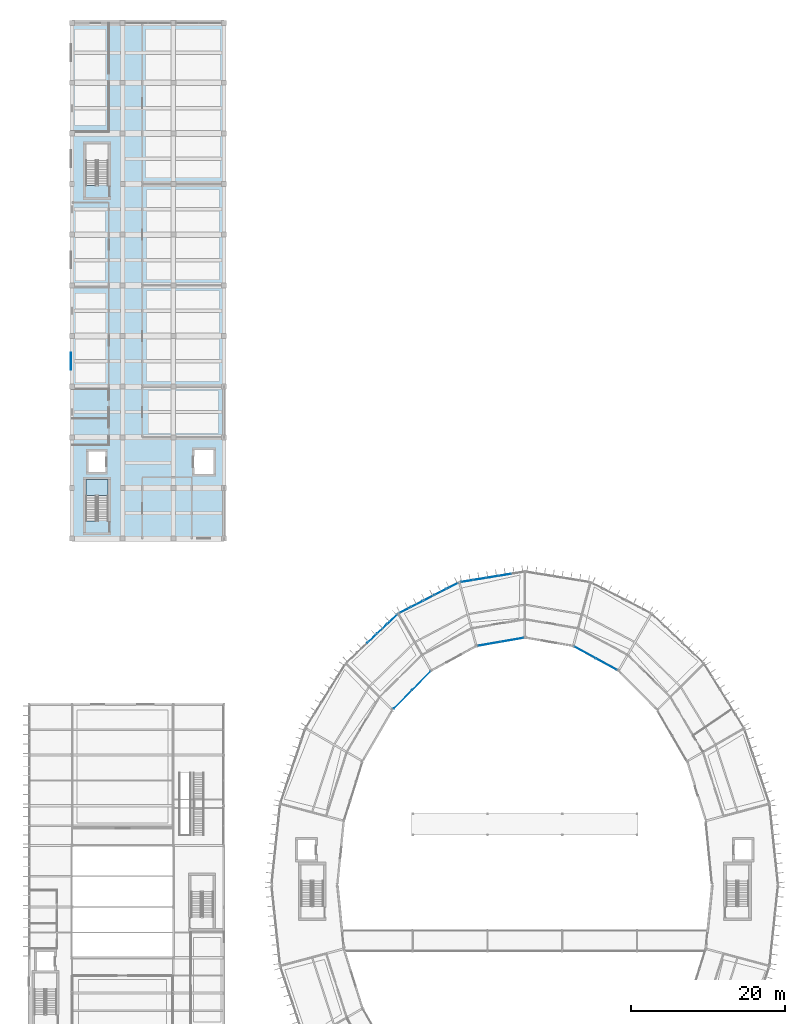
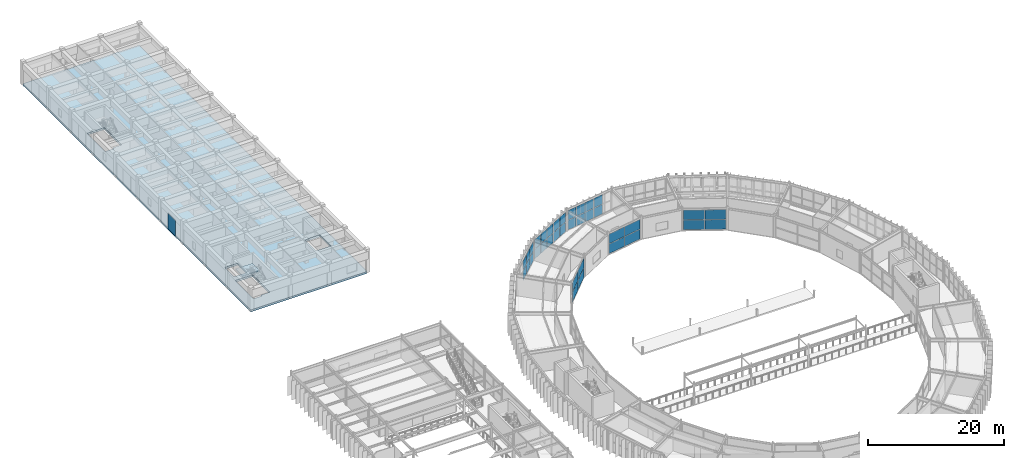
# One storey, part 104 of 147: 37 plates, 2 slabs, 7 elements without a shape of their own.
"""IFC4 building model written with IfcOpenShell, lengths in metres."""

from ifc_helpers import new_model, si_unit, direction, frame, origin, origin_2d, place, context, subcontext, project, spatial, polyline, rectangle, outline, extrude, material, layer, layer_set, type_object, element, aggregate, save


model = new_model("IFC4")

# Units and contexts
model_context = context("Model", 3, precision=1e-05, world=origin(), true_north=direction((0.0, 1.0)))
body_context = subcontext(model_context, "Body", "Model", "MODEL_VIEW")
ifc_project = project(units=[si_unit("LENGTHUNIT", "METRE"), si_unit("AREAUNIT", "SQUARE_METRE"), si_unit("VOLUMEUNIT", "CUBIC_METRE"), si_unit("PLANEANGLEUNIT", "RADIAN"), si_unit("MASSUNIT", "GRAM", prefix="KILO")], contexts=[model_context])

# Site, building, storey
site_placement = place(None, origin())
site = spatial("IfcSite", under=ifc_project, at=site_placement, CompositionType="ELEMENT")
building_placement = place(site_placement, origin())
building = spatial("IfcBuilding", under=site, at=building_placement, Name="Karori Crest Natural Sciences Institute", CompositionType="ELEMENT")
storey_placement = place(building_placement, frame((0.0, 0.0, 9.10009765625)))
storey = spatial("IfcBuildingStorey", under=building, at=storey_placement, Name="L02", CompositionType="ELEMENT", Elevation=9.10009765625)

# Curtain wall, plates
ifc_material_1 = material(Name="Anodised architectural aluminium 6063-T6", Category="aluminium")
curtain_wall_type_1 = type_object("IfcCurtainWallType", Name="CWT-15", PredefinedType="NOTDEFINED", material=ifc_material_1)
curtain_wall_1_placement = place(storey_placement, origin())
curtain_wall_1 = element("IfcCurtainWall", 1, at=curtain_wall_1_placement, inside=storey, type_object=curtain_wall_type_1, Name="Curtain wall CW-0072", PredefinedType="NOTDEFINED")
ifc_material_2 = material(Name="Double low-E laminated glass", Category="glass")
ifc_layer_1 = layer(ifc_material_2, 0.02392578125, Name="Double low-E laminated glass")
ifc_layer_set_1 = layer_set([ifc_layer_1], Name="Double low-E laminated glass")
plate_type_1 = type_object("IfcPlateType", Name="CWP-01", PredefinedType="CURTAIN_PANEL", material=ifc_layer_set_1)
plate_1_placement = place(storey_placement, frame((77.031005859375, 78.6435546875, 0.06005859375), z_axis=(0.0, 0.0, 1.0), x_axis=(-0.877463514084, 0.479643389875, 0.0)))
plate_1 = element("IfcPlate", 2, at=plate_1_placement, type_object=plate_type_1, Name="CW-0072 panel 1.1", PredefinedType="CURTAIN_PANEL", context=body_context, shape_type="SweptSolid", body=[
    extrude(rectangle(XDim=3.102783203125, YDim=0.02392578125, at=origin_2d()), origin(), (0.0, 0.0, 1.0), 1.735107421875),
])
plate_2_placement = place(storey_placement, frame((77.031005859375, 78.6435546875, 1.85498046875), z_axis=(0.0, 0.0, 1.0), x_axis=(-0.877463514084, 0.479643389875, 0.0)))
plate_2 = element("IfcPlate", 3, at=plate_2_placement, type_object=plate_type_1, Name="CW-0072 panel 1.2", PredefinedType="CURTAIN_PANEL", context=body_context, shape_type="SweptSolid", body=[
    extrude(rectangle(XDim=3.102783203125, YDim=0.02392578125, at=origin_2d()), origin(), (0.0, 0.0, 1.0), 1.735107421875),
])
plate_3_placement = place(storey_placement, frame((74.25146484375, 80.1630859375, 0.06005859375), z_axis=(0.0, 0.0, 1.0), x_axis=(-0.877463514084, 0.479643389875, 0.0)))
plate_3 = element("IfcPlate", 4, at=plate_3_placement, type_object=plate_type_1, Name="CW-0072 panel 2.1", PredefinedType="CURTAIN_PANEL", context=body_context, shape_type="SweptSolid", body=[
    extrude(rectangle(XDim=3.102783203125, YDim=0.02392578125, at=origin_2d()), origin(), (0.0, 0.0, 1.0), 1.735107421875),
])
plate_4_placement = place(storey_placement, frame((74.25146484375, 80.1630859375, 1.85498046875), z_axis=(0.0, 0.0, 1.0), x_axis=(-0.877463514084, 0.479643389875, 0.0)))
plate_4 = element("IfcPlate", 5, at=plate_4_placement, type_object=plate_type_1, Name="CW-0072 panel 2.2", PredefinedType="CURTAIN_PANEL", context=body_context, shape_type="SweptSolid", body=[
    extrude(rectangle(XDim=3.102783203125, YDim=0.02392578125, at=origin_2d()), origin(), (0.0, 0.0, 1.0), 1.735107421875),
])
aggregate(curtain_wall_1, [plate_1, plate_2, plate_3, plate_4])

curtain_wall_type_2 = type_object("IfcCurtainWallType", Name="CWT-07", PredefinedType="NOTDEFINED", material=ifc_material_1)
curtain_wall_2_placement = place(storey_placement, origin())
curtain_wall_2 = element("IfcCurtainWall", 6, at=curtain_wall_2_placement, inside=storey, type_object=curtain_wall_type_2, Name="Curtain wall CW-0074", PredefinedType="NOTDEFINED")
plate_5_placement = place(storey_placement, frame((58.872314453125, 89.474609375, 0.06494140625), z_axis=(0.0, 0.0, 1.0), x_axis=(0.987010371927, 0.1606565458, 0.0)))
plate_5 = element("IfcPlate", 7, at=plate_5_placement, type_object=plate_type_1, Name="CW-0074 panel 1.1", PredefinedType="CURTAIN_PANEL", context=body_context, shape_type="SweptSolid", body=[
    extrude(rectangle(XDim=1.552001953125, YDim=0.02392578125, at=origin_2d()), origin(), (0.0, 0.0, 1.0), 1.715087890625),
])
plate_6_placement = place(storey_placement, frame((58.872314453125, 89.474609375, 1.8447265625), z_axis=(0.0, 0.0, 1.0), x_axis=(0.987010371927, 0.1606565458, 0.0)))
plate_6 = element("IfcPlate", 8, at=plate_6_placement, type_object=plate_type_1, Name="CW-0074 panel 1.2", PredefinedType="CURTAIN_PANEL", context=body_context, shape_type="SweptSolid", body=[
    extrude(rectangle(XDim=1.552001953125, YDim=0.02392578125, at=origin_2d()), origin(), (0.0, 0.0, 1.0), 1.715087890625),
])
plate_7_placement = place(storey_placement, frame((60.49658203125, 89.739013671875, 0.06494140625), z_axis=(0.0, 0.0, 1.0), x_axis=(0.987010371927, 0.1606565458, 0.0)))
plate_7 = element("IfcPlate", 9, at=plate_7_placement, type_object=plate_type_1, Name="CW-0074 panel 2.1", PredefinedType="CURTAIN_PANEL", context=body_context, shape_type="SweptSolid", body=[
    extrude(rectangle(XDim=1.58935546875, YDim=0.02392578125, at=origin_2d()), origin(), (0.0, 0.0, 1.0), 1.715087890625),
])
plate_8_placement = place(storey_placement, frame((60.49658203125, 89.739013671875, 1.8447265625), z_axis=(0.0, 0.0, 1.0), x_axis=(0.987010371927, 0.1606565458, 0.0)))
plate_8 = element("IfcPlate", 10, at=plate_8_placement, type_object=plate_type_1, Name="CW-0074 panel 2.2", PredefinedType="CURTAIN_PANEL", context=body_context, shape_type="SweptSolid", body=[
    extrude(rectangle(XDim=1.58935546875, YDim=0.02392578125, at=origin_2d()), origin(), (0.0, 0.0, 1.0), 1.715087890625),
])
plate_9_placement = place(storey_placement, frame((62.139404296875, 90.006591796875, 0.06494140625), z_axis=(0.0, 0.0, 1.0), x_axis=(0.987010371927, 0.1606565458, 0.0)))
plate_9 = element("IfcPlate", 11, at=plate_9_placement, type_object=plate_type_1, Name="CW-0074 panel 3.1", PredefinedType="CURTAIN_PANEL", context=body_context, shape_type="SweptSolid", body=[
    extrude(rectangle(XDim=1.58935546875, YDim=0.02392578125, at=origin_2d()), origin(), (0.0, 0.0, 1.0), 1.715087890625),
])
plate_10_placement = place(storey_placement, frame((62.139404296875, 90.006591796875, 1.8447265625), z_axis=(0.0, 0.0, 1.0), x_axis=(0.987010371927, 0.1606565458, 0.0)))
plate_10 = element("IfcPlate", 12, at=plate_10_placement, type_object=plate_type_1, Name="CW-0074 panel 3.2", PredefinedType="CURTAIN_PANEL", context=body_context, shape_type="SweptSolid", body=[
    extrude(rectangle(XDim=1.58935546875, YDim=0.02392578125, at=origin_2d()), origin(), (0.0, 0.0, 1.0), 1.715087890625),
])
plate_11_placement = place(storey_placement, frame((63.7822265625, 90.27392578125, 0.06494140625), z_axis=(0.0, 0.0, 1.0), x_axis=(0.987010371927, 0.1606565458, 0.0)))
plate_11 = element("IfcPlate", 13, at=plate_11_placement, type_object=plate_type_1, Name="CW-0074 panel 4.1", PredefinedType="CURTAIN_PANEL", context=body_context, shape_type="SweptSolid", body=[
    extrude(rectangle(XDim=1.58935546875, YDim=0.02392578125, at=origin_2d()), origin(), (0.0, 0.0, 1.0), 1.715087890625),
])
plate_12_placement = place(storey_placement, frame((63.7822265625, 90.27392578125, 1.8447265625), z_axis=(0.0, 0.0, 1.0), x_axis=(0.987010371927, 0.1606565458, 0.0)))
plate_12 = element("IfcPlate", 14, at=plate_12_placement, type_object=plate_type_1, Name="CW-0074 panel 4.2", PredefinedType="CURTAIN_PANEL", context=body_context, shape_type="SweptSolid", body=[
    extrude(rectangle(XDim=1.58935546875, YDim=0.02392578125, at=origin_2d()), origin(), (0.0, 0.0, 1.0), 1.715087890625),
])
aggregate(curtain_wall_2, [plate_5, plate_6, plate_7, plate_8, plate_9, plate_10, plate_11, plate_12])

curtain_wall_type_3 = type_object("IfcCurtainWallType", Name="CWT-12", PredefinedType="NOTDEFINED", material=ifc_material_1)
curtain_wall_3_placement = place(storey_placement, origin())
curtain_wall_3 = element("IfcCurtainWall", 15, at=curtain_wall_3_placement, inside=storey, type_object=curtain_wall_type_3, Name="Curtain wall CW-0075", PredefinedType="NOTDEFINED")
plate_13_placement = place(storey_placement, frame((64.729248046875, 81.809814453125, 0.06005859375), z_axis=(0.0, 0.0, 1.0), x_axis=(-0.985241442821, -0.171170381048, 0.0)))
plate_13 = element("IfcPlate", 16, at=plate_13_placement, type_object=plate_type_1, Name="CW-0075 panel 1.1", PredefinedType="CURTAIN_PANEL", context=body_context, shape_type="SweptSolid", body=[
    extrude(rectangle(XDim=2.9541015625, YDim=0.02392578125, at=origin_2d()), origin(), (0.0, 0.0, 1.0), 1.735107421875),
])
plate_14_placement = place(storey_placement, frame((64.729248046875, 81.809814453125, 1.85498046875), z_axis=(0.0, 0.0, 1.0), x_axis=(-0.985241442821, -0.171170381048, 0.0)))
plate_14 = element("IfcPlate", 17, at=plate_14_placement, type_object=plate_type_1, Name="CW-0075 panel 1.2", PredefinedType="CURTAIN_PANEL", context=body_context, shape_type="SweptSolid", body=[
    extrude(rectangle(XDim=2.9541015625, YDim=0.02392578125, at=origin_2d()), origin(), (0.0, 0.0, 1.0), 1.735107421875),
])
plate_15_placement = place(storey_placement, frame((61.754638671875, 81.29296875, 0.06005859375), z_axis=(0.0, 0.0, 1.0), x_axis=(-0.985241442821, -0.171170381048, 0.0)))
plate_15 = element("IfcPlate", 18, at=plate_15_placement, type_object=plate_type_1, Name="CW-0075 panel 2.1", PredefinedType="CURTAIN_PANEL", context=body_context, shape_type="SweptSolid", body=[
    extrude(rectangle(XDim=2.9541015625, YDim=0.02392578125, at=origin_2d()), origin(), (0.0, 0.0, 1.0), 1.735107421875),
])
plate_16_placement = place(storey_placement, frame((61.754638671875, 81.29296875, 1.85498046875), z_axis=(0.0, 0.0, 1.0), x_axis=(-0.985241442821, -0.171170381048, 0.0)))
plate_16 = element("IfcPlate", 19, at=plate_16_placement, type_object=plate_type_1, Name="CW-0075 panel 2.2", PredefinedType="CURTAIN_PANEL", context=body_context, shape_type="SweptSolid", body=[
    extrude(rectangle(XDim=2.9541015625, YDim=0.02392578125, at=origin_2d()), origin(), (0.0, 0.0, 1.0), 1.735107421875),
])
aggregate(curtain_wall_3, [plate_13, plate_14, plate_15, plate_16])

curtain_wall_type_4 = type_object("IfcCurtainWallType", Name="CWT-14", PredefinedType="NOTDEFINED", material=ifc_material_1)
curtain_wall_4_placement = place(storey_placement, origin())
curtain_wall_4 = element("IfcCurtainWall", 20, at=curtain_wall_4_placement, inside=storey, type_object=curtain_wall_type_4, Name="Curtain wall CW-0078", PredefinedType="NOTDEFINED")
plate_17_placement = place(storey_placement, frame((52.892333984375, 76.4619140625, 0.06005859375), z_axis=(0.0, 0.0, 1.0), x_axis=(-0.70265631089, -0.71152941525, 0.0)))
plate_17 = element("IfcPlate", 21, at=plate_17_placement, type_object=plate_type_1, Name="CW-0078 panel 1.1", PredefinedType="CURTAIN_PANEL", context=body_context, shape_type="SweptSolid", body=[
    extrude(rectangle(XDim=3.322998046875, YDim=0.02392578125, at=origin_2d()), origin(), (0.0, 0.0, 1.0), 1.735107421875),
])
plate_18_placement = place(storey_placement, frame((52.892333984375, 76.4619140625, 1.85498046875), z_axis=(0.0, 0.0, 1.0), x_axis=(-0.70265631089, -0.71152941525, 0.0)))
plate_18 = element("IfcPlate", 22, at=plate_18_placement, type_object=plate_type_1, Name="CW-0078 panel 1.2", PredefinedType="CURTAIN_PANEL", context=body_context, shape_type="SweptSolid", body=[
    extrude(rectangle(XDim=3.322998046875, YDim=0.02392578125, at=origin_2d()), origin(), (0.0, 0.0, 1.0), 1.735107421875),
])
plate_19_placement = place(storey_placement, frame((50.51171875, 74.05126953125, 0.06005859375), z_axis=(0.0, 0.0, 1.0), x_axis=(-0.70265631089, -0.71152941525, 0.0)))
plate_19 = element("IfcPlate", 23, at=plate_19_placement, type_object=plate_type_1, Name="CW-0078 panel 2.1", PredefinedType="CURTAIN_PANEL", context=body_context, shape_type="SweptSolid", body=[
    extrude(rectangle(XDim=3.322998046875, YDim=0.02392578125, at=origin_2d()), origin(), (0.0, 0.0, 1.0), 1.735107421875),
])
plate_20_placement = place(storey_placement, frame((50.51171875, 74.05126953125, 1.85498046875), z_axis=(0.0, 0.0, 1.0), x_axis=(-0.70265631089, -0.71152941525, 0.0)))
plate_20 = element("IfcPlate", 24, at=plate_20_placement, type_object=plate_type_1, Name="CW-0078 panel 2.2", PredefinedType="CURTAIN_PANEL", context=body_context, shape_type="SweptSolid", body=[
    extrude(rectangle(XDim=3.322998046875, YDim=0.02392578125, at=origin_2d()), origin(), (0.0, 0.0, 1.0), 1.735107421875),
])
aggregate(curtain_wall_4, [plate_17, plate_18, plate_19, plate_20])

curtain_wall_type_5 = type_object("IfcCurtainWallType", Name="CWT-08", PredefinedType="NOTDEFINED", material=ifc_material_1)
curtain_wall_5_placement = place(storey_placement, origin())
curtain_wall_5 = element("IfcCurtainWall", 25, at=curtain_wall_5_placement, inside=storey, type_object=curtain_wall_type_5, Name="Curtain wall CW-0076", PredefinedType="NOTDEFINED")
ifc_layer_2 = layer(ifc_material_2, 0.033935546875, Name="Double low-E laminated glass")
ifc_layer_set_2 = layer_set([ifc_layer_2], Name="Double low-E laminated glass")
plate_type_2 = type_object("IfcPlateType", Name="CWP-02", PredefinedType="CURTAIN_PANEL", material=ifc_layer_set_2)
plate_21_placement = place(storey_placement, frame((50.8251953125, 85.70751953125, 0.06005859375), z_axis=(0.0, 0.0, 1.0), x_axis=(0.890065326982, 0.455832988828, 0.0)))
plate_21 = element("IfcPlate", 26, at=plate_21_placement, type_object=plate_type_2, Name="CW-0076 panel 1.1", PredefinedType="CURTAIN_PANEL", context=body_context, shape_type="SweptSolid", body=[
    extrude(rectangle(XDim=1.608642578125, YDim=0.033935546875, at=origin_2d()), origin(), (0.0, 0.0, 1.0), 1.722412109375),
])
plate_22_placement = place(storey_placement, frame((50.8251953125, 85.70751953125, 1.84228515625), z_axis=(0.0, 0.0, 1.0), x_axis=(0.890065326982, 0.455832988828, 0.0)))
plate_22 = element("IfcPlate", 27, at=plate_22_placement, type_object=plate_type_2, Name="CW-0076 panel 1.2", PredefinedType="CURTAIN_PANEL", context=body_context, shape_type="SweptSolid", body=[
    extrude(rectangle(XDim=1.608642578125, YDim=0.033935546875, at=origin_2d()), origin(), (0.0, 0.0, 1.0), 1.722412109375),
])
plate_23_placement = place(storey_placement, frame((52.34033203125, 86.483642578125, 0.06005859375), z_axis=(0.0, 0.0, 1.0), x_axis=(0.890065326982, 0.455832988828, 0.0)))
plate_23 = element("IfcPlate", 28, at=plate_23_placement, type_object=plate_type_2, Name="CW-0076 panel 2.1", PredefinedType="CURTAIN_PANEL", context=body_context, shape_type="SweptSolid", body=[
    extrude(rectangle(XDim=1.646240234375, YDim=0.033935546875, at=origin_2d()), origin(), (0.0, 0.0, 1.0), 1.722412109375),
])
plate_24_placement = place(storey_placement, frame((52.34033203125, 86.483642578125, 1.84228515625), z_axis=(0.0, 0.0, 1.0), x_axis=(0.890065326982, 0.455832988828, 0.0)))
plate_24 = element("IfcPlate", 29, at=plate_24_placement, type_object=plate_type_2, Name="CW-0076 panel 2.2", PredefinedType="CURTAIN_PANEL", context=body_context, shape_type="SweptSolid", body=[
    extrude(rectangle(XDim=1.646240234375, YDim=0.033935546875, at=origin_2d()), origin(), (0.0, 0.0, 1.0), 1.722412109375),
])
plate_25_placement = place(storey_placement, frame((53.87255859375, 87.268310546875, 0.06005859375), z_axis=(0.0, 0.0, 1.0), x_axis=(0.890065326982, 0.455832988828, 0.0)))
plate_25 = element("IfcPlate", 30, at=plate_25_placement, type_object=plate_type_2, Name="CW-0076 panel 3.1", PredefinedType="CURTAIN_PANEL", context=body_context, shape_type="SweptSolid", body=[
    extrude(rectangle(XDim=1.646240234375, YDim=0.033935546875, at=origin_2d()), origin(), (0.0, 0.0, 1.0), 1.722412109375),
])
plate_26_placement = place(storey_placement, frame((53.87255859375, 87.268310546875, 1.84228515625), z_axis=(0.0, 0.0, 1.0), x_axis=(0.890065326982, 0.455832988828, 0.0)))
plate_26 = element("IfcPlate", 31, at=plate_26_placement, type_object=plate_type_2, Name="CW-0076 panel 3.2", PredefinedType="CURTAIN_PANEL", context=body_context, shape_type="SweptSolid", body=[
    extrude(rectangle(XDim=1.646240234375, YDim=0.033935546875, at=origin_2d()), origin(), (0.0, 0.0, 1.0), 1.722412109375),
])
plate_27_placement = place(storey_placement, frame((55.404541015625, 88.052734375, 0.06005859375), z_axis=(0.0, 0.0, 1.0), x_axis=(0.890065326982, 0.455832988828, 0.0)))
plate_27 = element("IfcPlate", 32, at=plate_27_placement, type_object=plate_type_2, Name="CW-0076 panel 4.1", PredefinedType="CURTAIN_PANEL", context=body_context, shape_type="SweptSolid", body=[
    extrude(rectangle(XDim=1.646240234375, YDim=0.033935546875, at=origin_2d()), origin(), (0.0, 0.0, 1.0), 1.722412109375),
])
plate_28_placement = place(storey_placement, frame((55.404541015625, 88.052734375, 1.84228515625), z_axis=(0.0, 0.0, 1.0), x_axis=(0.890065326982, 0.455832988828, 0.0)))
plate_28 = element("IfcPlate", 33, at=plate_28_placement, type_object=plate_type_2, Name="CW-0076 panel 4.2", PredefinedType="CURTAIN_PANEL", context=body_context, shape_type="SweptSolid", body=[
    extrude(rectangle(XDim=1.646240234375, YDim=0.033935546875, at=origin_2d()), origin(), (0.0, 0.0, 1.0), 1.722412109375),
])
plate_29_placement = place(storey_placement, frame((56.919921875, 88.828857421875, 0.06005859375), z_axis=(0.0, 0.0, 1.0), x_axis=(0.890065326982, 0.455832988828, 0.0)))
plate_29 = element("IfcPlate", 34, at=plate_29_placement, type_object=plate_type_2, Name="CW-0076 panel 5.1", PredefinedType="CURTAIN_PANEL", context=body_context, shape_type="SweptSolid", body=[
    extrude(rectangle(XDim=1.608642578125, YDim=0.033935546875, at=origin_2d()), origin(), (0.0, 0.0, 1.0), 1.722412109375),
])
plate_30_placement = place(storey_placement, frame((56.919921875, 88.828857421875, 1.84228515625), z_axis=(0.0, 0.0, 1.0), x_axis=(0.890065326982, 0.455832988828, 0.0)))
plate_30 = element("IfcPlate", 35, at=plate_30_placement, type_object=plate_type_2, Name="CW-0076 panel 5.2", PredefinedType="CURTAIN_PANEL", context=body_context, shape_type="SweptSolid", body=[
    extrude(rectangle(XDim=1.608642578125, YDim=0.033935546875, at=origin_2d()), origin(), (0.0, 0.0, 1.0), 1.722412109375),
])
aggregate(curtain_wall_5, [plate_21, plate_22, plate_23, plate_24, plate_25, plate_26, plate_27, plate_28, plate_29, plate_30])

curtain_wall_type_6 = type_object("IfcCurtainWallType", Name="CWT-09", PredefinedType="NOTDEFINED", material=ifc_material_1)
curtain_wall_6_placement = place(storey_placement, origin())
curtain_wall_6 = element("IfcCurtainWall", 36, at=curtain_wall_6_placement, inside=storey, type_object=curtain_wall_type_6, Name="Curtain wall CW-0077", PredefinedType="NOTDEFINED")
ifc_layer_3 = layer(ifc_material_2, 0.0439453125, Name="Double low-E laminated glass")
ifc_layer_set_3 = layer_set([ifc_layer_3], Name="Double low-E laminated glass")
plate_type_3 = type_object("IfcPlateType", Name="CWP-03", PredefinedType="CURTAIN_PANEL", material=ifc_layer_set_3)
plate_31_placement = place(storey_placement, frame((46.501708984375, 82.010009765625, 0.06494140625), z_axis=(0.0, 0.0, 1.0), x_axis=(0.725472753897, 0.688250886925, 0.0)))
plate_31 = element("IfcPlate", 37, at=plate_31_placement, type_object=plate_type_3, Name="CW-0077 panel 3.1", PredefinedType="CURTAIN_PANEL", context=body_context, shape_type="SweptSolid", body=[
    extrude(rectangle(XDim=1.734619140625, YDim=0.0439453125, at=origin_2d()), origin(), (0.0, 0.0, 1.0), 1.715087890625),
])
plate_32_placement = place(storey_placement, frame((46.501708984375, 82.010009765625, 1.8447265625), z_axis=(0.0, 0.0, 1.0), x_axis=(0.725472753897, 0.688250886925, 0.0)))
plate_32 = element("IfcPlate", 38, at=plate_32_placement, type_object=plate_type_3, Name="CW-0077 panel 3.2", PredefinedType="CURTAIN_PANEL", context=body_context, shape_type="SweptSolid", body=[
    extrude(rectangle(XDim=1.734619140625, YDim=0.0439453125, at=origin_2d()), origin(), (0.0, 0.0, 1.0), 1.715087890625),
])
plate_33_placement = place(storey_placement, frame((47.814697265625, 83.25537109375, 0.06494140625), z_axis=(0.0, 0.0, 1.0), x_axis=(0.725472753897, 0.688250886925, 0.0)))
plate_33 = element("IfcPlate", 39, at=plate_33_placement, type_object=plate_type_3, Name="CW-0077 panel 4.1", PredefinedType="CURTAIN_PANEL", context=body_context, shape_type="SweptSolid", body=[
    extrude(rectangle(XDim=1.734619140625, YDim=0.0439453125, at=origin_2d()), origin(), (0.0, 0.0, 1.0), 1.715087890625),
])
plate_34_placement = place(storey_placement, frame((47.814697265625, 83.25537109375, 1.8447265625), z_axis=(0.0, 0.0, 1.0), x_axis=(0.725472753897, 0.688250886925, 0.0)))
plate_34 = element("IfcPlate", 40, at=plate_34_placement, type_object=plate_type_3, Name="CW-0077 panel 4.2", PredefinedType="CURTAIN_PANEL", context=body_context, shape_type="SweptSolid", body=[
    extrude(rectangle(XDim=1.734619140625, YDim=0.0439453125, at=origin_2d()), origin(), (0.0, 0.0, 1.0), 1.715087890625),
])
plate_35_placement = place(storey_placement, frame((49.11376953125, 84.488037109375, 0.06494140625), z_axis=(0.0, 0.0, 1.0), x_axis=(0.725472753897, 0.688250886925, 0.0)))
plate_35 = element("IfcPlate", 41, at=plate_35_placement, type_object=plate_type_3, Name="CW-0077 panel 5.1", PredefinedType="CURTAIN_PANEL", context=body_context, shape_type="SweptSolid", body=[
    extrude(rectangle(XDim=1.697265625, YDim=0.0439453125, at=origin_2d()), origin(), (0.0, 0.0, 1.0), 1.715087890625),
])
plate_36_placement = place(storey_placement, frame((49.11376953125, 84.488037109375, 1.8447265625), z_axis=(0.0, 0.0, 1.0), x_axis=(0.725472753897, 0.688250886925, 0.0)))
plate_36 = element("IfcPlate", 42, at=plate_36_placement, type_object=plate_type_3, Name="CW-0077 panel 5.2", PredefinedType="CURTAIN_PANEL", context=body_context, shape_type="SweptSolid", body=[
    extrude(rectangle(XDim=1.697265625, YDim=0.0439453125, at=origin_2d()), origin(), (0.0, 0.0, 1.0), 1.715087890625),
])
aggregate(curtain_wall_6, [plate_31, plate_32, plate_33, plate_34, plate_35, plate_36])

# Plate
ifc_layer_4 = layer(ifc_material_1, 0.013916015625, Name="Anodised architectural aluminium 6063-T6")
ifc_layer_set_4 = layer_set([ifc_layer_4], Name="Anodised architectural aluminium 6063-T6")
plate_type_4 = type_object("IfcPlateType", Name="PLT-01", PredefinedType="SHEET", material=ifc_layer_set_4)
plate_37_placement = place(storey_placement, frame((7.25, 118.10009765625, 0.07470703125), z_axis=(0.0, 0.0, 1.0), x_axis=(1.0, 0.0, 0.0)))
element("IfcPlate", 43, at=plate_37_placement, inside=storey, type_object=plate_type_4, Name="Metabolist service chase cladding PL-0005", PredefinedType="SHEET", context=body_context, shape_type="SweptSolid", body=[
    extrude(rectangle(XDim=0.052001953125, YDim=2.199951171875, at=origin_2d()), origin(), (0.0, 0.0, 1.0), 2.735107421875),
])

# Slab
ifc_material_3 = material(Name="Concrete 50 MPa", Category="concrete")
ifc_layer_5 = layer(ifc_material_3, 0.35009765625, Name="Concrete 50 MPa")
ifc_layer_set_5 = layer_set([ifc_layer_5], Name="Concrete 50 MPa")
slab_type_1 = type_object("IfcSlabType", Name="SLT-03", PredefinedType="FLOOR", material=ifc_layer_set_5)
slab_1_placement = place(storey_placement, frame((0.0, 0.0, -0.35009765625)))
element("IfcSlab", 44, at=slab_1_placement, inside=storey, type_object=slab_type_1, Name="V4 Slab SL-0154", PredefinedType="FLOOR", context=body_context, shape_type="SweptSolid", body=[
    extrude(outline(polyline([(7.39990234375, 95.0), (27.199951171875, 95.0), (27.199951171875, 162.199951171875), (7.39990234375, 162.199951171875), (7.39990234375, 95.0)]), holes=[polyline([(12.10009765625, 97.580078125), (10.64990234375, 97.580078125), (10.64990234375, 97.300537109375), (9.199951171875, 97.300537109375), (9.199951171875, 102.699951171875), (12.10009765625, 102.699951171875), (12.10009765625, 97.580078125)]), polyline([(12.10009765625, 141.280029296875), (10.64990234375, 141.280029296875), (10.64990234375, 141.00048828125), (9.199951171875, 141.00048828125), (9.199951171875, 146.39990234375), (12.10009765625, 146.39990234375), (12.10009765625, 141.280029296875)]), polyline([(9.52490234375, 106.375), (11.77490234375, 106.375), (11.77490234375, 103.625), (9.52490234375, 103.625), (9.52490234375, 106.375)]), polyline([(23.300048828125, 106.60009765625), (25.89990234375, 106.60009765625), (25.89990234375, 103.39990234375), (23.300048828125, 103.39990234375), (23.300048828125, 106.60009765625)])]), origin(), (0.0, 0.0, 1.0), 0.35009765625),
])

# Stair, slab
ifc_material_4 = material(Name="Concrete 40 MPa", Category="concrete")
stair_type = type_object("IfcStairType", Name="STT-01", PredefinedType="HALF_TURN_STAIR", material=ifc_material_4)
stair_placement = place(storey_placement, origin())
stair = element("IfcStair", 45, at=stair_placement, inside=storey, type_object=stair_type, Name="Protected stair ST-05-L02", PredefinedType="HALF_TURN_STAIR")
ifc_layer_6 = layer(ifc_material_4, 0.2099609375, Name="Concrete 40 MPa")
ifc_layer_set_6 = layer_set([ifc_layer_6], Name="Concrete 40 MPa")
slab_type_2 = type_object("IfcSlabType", Name="SLT-11", PredefinedType="LANDING", material=ifc_layer_set_6)
slab_2_placement = place(storey_placement, frame((0.0, 0.0, 1.889892578125)))
slab_2 = element("IfcSlab", 46, at=slab_2_placement, type_object=slab_type_2, Name="ST-05-L02 landing 1", PredefinedType="LANDING", context=body_context, shape_type="SweptSolid", body=[
    extrude(outline(polyline([(12.10009765625, 100.60009765625), (12.10009765625, 102.699951171875), (9.199951171875, 102.699951171875), (9.199951171875, 100.60009765625), (12.10009765625, 100.60009765625)])), origin(), (0.0, 0.0, 1.0), 0.2099609375),
])
aggregate(stair, [slab_2])

save(model, "model.ifc")
